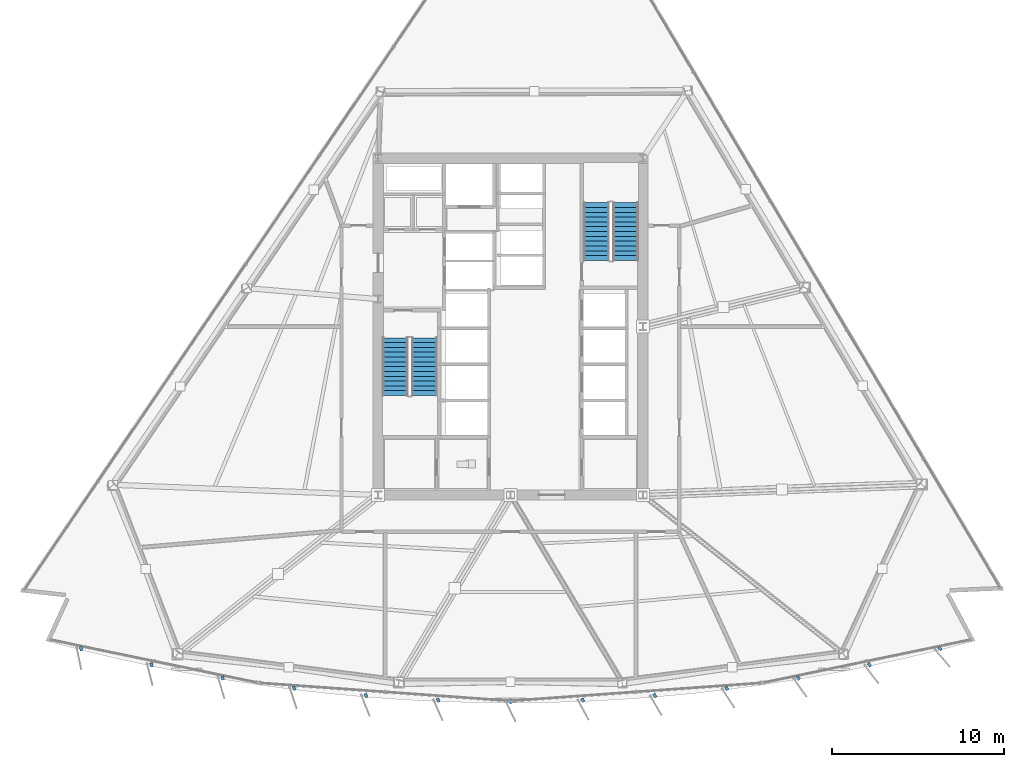
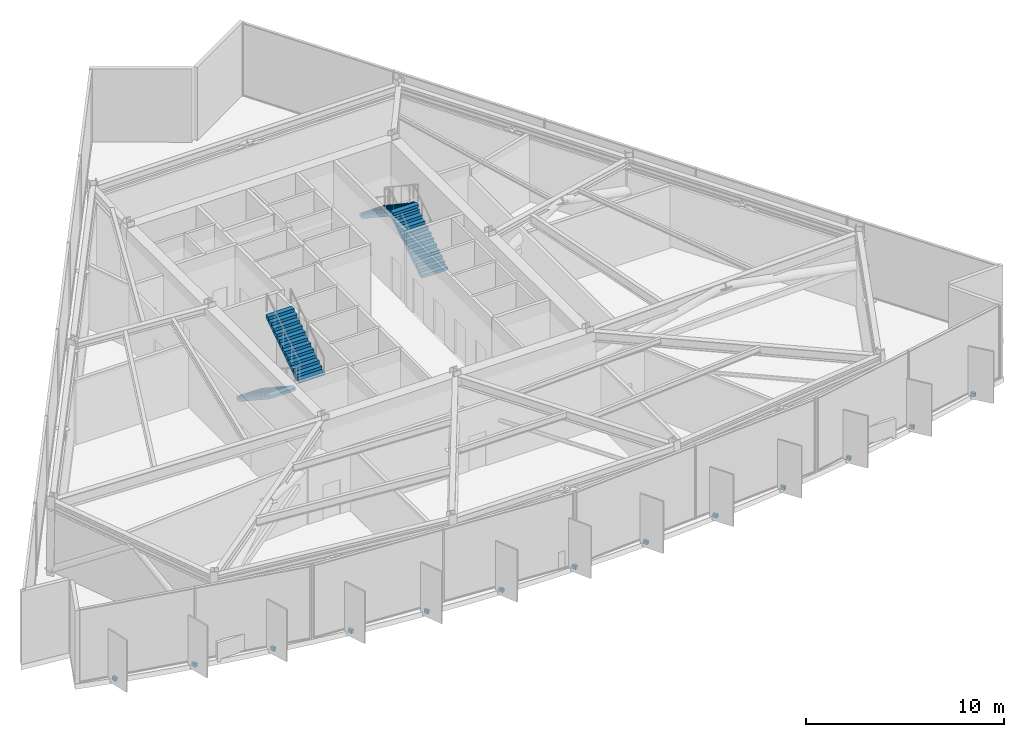
# One storey, part 11 of 16: 13 discrete accessories, 4 stair flights, 2 elements without a shape of their own.
"""IFC4 building model written with IfcOpenShell, lengths in metres."""

from ifc_helpers import new_model, si_unit, direction, frame, origin, origin_2d, place, context, subcontext, project, spatial, polyline, rectangle, outline, extrude, material, type_object, element, aggregate, save


model = new_model("IFC4")

# Units and contexts
model_context = context("Model", 3, precision=1e-05, world=origin(), true_north=direction((0.0, 1.0)))
body_context = subcontext(model_context, "Body", "Model", "MODEL_VIEW")
ifc_project = project(units=[si_unit("LENGTHUNIT", "METRE"), si_unit("AREAUNIT", "SQUARE_METRE"), si_unit("VOLUMEUNIT", "CUBIC_METRE"), si_unit("PLANEANGLEUNIT", "RADIAN"), si_unit("MASSUNIT", "GRAM", prefix="KILO")], contexts=[model_context])

# Site, building, storey
site_placement = place(None, origin())
site = spatial("IfcSite", under=ifc_project, at=site_placement, CompositionType="ELEMENT")
building_placement = place(site_placement, origin())
building = spatial("IfcBuilding", under=site, at=building_placement, Name="Savorim Split Tower", CompositionType="ELEMENT")
storey_placement = place(building_placement, frame((0.0, 0.0, 73.199951171875)))
storey = spatial("IfcBuildingStorey", under=building, at=storey_placement, Name="L19", CompositionType="ELEMENT", Elevation=73.199951171875)

# Stair, stair flights
ifc_material_1 = material(Name="Concrete C50/60", Category="concrete")
stair_type = type_object("IfcStairType", Name="STR-DOG-4800", PredefinedType="HALF_TURN_STAIR", material=ifc_material_1)
stair_1_placement = place(storey_placement, origin())
stair_1 = element("IfcStair", 1, at=stair_1_placement, inside=storey, type_object=stair_type, Name="L19 Core Protected Exit Stair ST-1", PredefinedType="HALF_TURN_STAIR")
stair_flight_type = type_object("IfcStairFlightType", Name="SFL-DOG-4800", PredefinedType="STRAIGHT", material=ifc_material_1)
stair_flight_1_placement = place(storey_placement, frame((-6.699951171875, -0.25, 0.0), z_axis=(0.0, 0.0, 1.0), x_axis=(0.0, -1.0, 0.0)))
stair_flight_1 = element("IfcStairFlight", 2, at=stair_flight_1_placement, type_object=stair_flight_type, Name="ST-1 flight 1", NumberOfRisers=13, NumberOfTreads=12, PredefinedType="STRAIGHT", RiserHeight=0.184615385, TreadLength=0.28, context=body_context, shape_type="SweptSolid", body=[
    extrude(outline(polyline([(0.0, 0.0), (0.0, 0.1845703125), (0.280029296875, 0.1845703125), (0.280029296875, 0.369140625), (0.56005859375, 0.369140625), (0.56005859375, 0.553955078125), (0.840087890625, 0.553955078125), (0.840087890625, 0.738525390625), (1.1201171875, 0.738525390625), (1.1201171875, 0.923095703125), (1.39990234375, 0.923095703125), (1.39990234375, 1.107666015625), (1.679931640625, 1.107666015625), (1.679931640625, 1.292236328125), (1.9599609375, 1.292236328125), (1.9599609375, 1.476806640625), (2.239990234375, 1.476806640625), (2.239990234375, 1.66162109375), (2.52001953125, 1.66162109375), (2.52001953125, 1.84619140625), (2.800048828125, 1.84619140625), (2.800048828125, 2.03076171875), (3.080078125, 2.03076171875), (3.080078125, 2.21533203125), (3.360107421875, 2.21533203125), (3.360107421875, 2.39990234375), (3.360107421875, 2.035888671875), (0.272216796875, 0.0), (0.0, 0.0)])), frame((0.0, 0.75, 0.0), z_axis=(0.0, -1.0, 0.0), x_axis=(1.0, 0.0, 0.0)), (0.0, 0.0, 1.0), 1.5),
])
stair_flight_2_placement = place(storey_placement, frame((-5.0, -3.610107421875, 2.400146484375), z_axis=(0.0, 0.0, 1.0), x_axis=(0.0, 1.0, 0.0)))
stair_flight_2 = element("IfcStairFlight", 3, at=stair_flight_2_placement, type_object=stair_flight_type, Name="ST-1 flight 2", NumberOfRisers=13, NumberOfTreads=12, PredefinedType="STRAIGHT", RiserHeight=0.184615385, TreadLength=0.28, context=body_context, shape_type="SweptSolid", body=[
    extrude(outline(polyline([(0.0, 0.0), (0.0, 0.1845703125), (0.280029296875, 0.1845703125), (0.280029296875, 0.369140625), (0.56005859375, 0.369140625), (0.56005859375, 0.553955078125), (0.840087890625, 0.553955078125), (0.840087890625, 0.738525390625), (1.1201171875, 0.738525390625), (1.1201171875, 0.923095703125), (1.39990234375, 0.923095703125), (1.39990234375, 1.107666015625), (1.679931640625, 1.107666015625), (1.679931640625, 1.292236328125), (1.9599609375, 1.292236328125), (1.9599609375, 1.476806640625), (2.239990234375, 1.476806640625), (2.239990234375, 1.66162109375), (2.52001953125, 1.66162109375), (2.52001953125, 1.84619140625), (2.800048828125, 1.84619140625), (2.800048828125, 2.03076171875), (3.080078125, 2.03076171875), (3.080078125, 2.21533203125), (3.360107421875, 2.21533203125), (3.360107421875, 2.39990234375), (3.360107421875, 2.035888671875), (0.272216796875, 0.0), (0.0, 0.0)])), frame((0.0, 0.75, 0.0), z_axis=(0.0, -1.0, 0.0), x_axis=(1.0, 0.0, 0.0)), (0.0, 0.0, 1.0), 1.5),
])
aggregate(stair_1, [stair_flight_1, stair_flight_2])

stair_2_placement = place(storey_placement, origin())
stair_2 = element("IfcStair", 4, at=stair_2_placement, inside=storey, type_object=stair_type, Name="L19 Core Protected Exit Stair ST-2", PredefinedType="HALF_TURN_STAIR")
stair_flight_3_placement = place(storey_placement, frame((6.699951171875, 4.25, 0.0), z_axis=(0.0, 0.0, 1.0), x_axis=(0.0, 1.0, 0.0)))
stair_flight_3 = element("IfcStairFlight", 5, at=stair_flight_3_placement, type_object=stair_flight_type, Name="ST-2 flight 1", NumberOfRisers=13, NumberOfTreads=12, PredefinedType="STRAIGHT", RiserHeight=0.184615385, TreadLength=0.28, context=body_context, shape_type="SweptSolid", body=[
    extrude(outline(polyline([(0.0, 0.0), (0.0, 0.1845703125), (0.280029296875, 0.1845703125), (0.280029296875, 0.369140625), (0.56005859375, 0.369140625), (0.56005859375, 0.553955078125), (0.840087890625, 0.553955078125), (0.840087890625, 0.738525390625), (1.1201171875, 0.738525390625), (1.1201171875, 0.923095703125), (1.39990234375, 0.923095703125), (1.39990234375, 1.107666015625), (1.679931640625, 1.107666015625), (1.679931640625, 1.292236328125), (1.9599609375, 1.292236328125), (1.9599609375, 1.476806640625), (2.239990234375, 1.476806640625), (2.239990234375, 1.66162109375), (2.52001953125, 1.66162109375), (2.52001953125, 1.84619140625), (2.800048828125, 1.84619140625), (2.800048828125, 2.03076171875), (3.080078125, 2.03076171875), (3.080078125, 2.21533203125), (3.360107421875, 2.21533203125), (3.360107421875, 2.39990234375), (3.360107421875, 2.035888671875), (0.272216796875, 0.0), (0.0, 0.0)])), frame((0.0, 0.75, 0.0), z_axis=(0.0, -1.0, 0.0), x_axis=(1.0, 0.0, 0.0)), (0.0, 0.0, 1.0), 1.5),
])
stair_flight_4_placement = place(storey_placement, frame((5.0, 7.610107421875, 2.400146484375), z_axis=(0.0, 0.0, 1.0), x_axis=(0.0, -1.0, 0.0)))
stair_flight_4 = element("IfcStairFlight", 6, at=stair_flight_4_placement, type_object=stair_flight_type, Name="ST-2 flight 2", NumberOfRisers=13, NumberOfTreads=12, PredefinedType="STRAIGHT", RiserHeight=0.184615385, TreadLength=0.28, context=body_context, shape_type="SweptSolid", body=[
    extrude(outline(polyline([(0.0, 0.0), (0.0, 0.1845703125), (0.280029296875, 0.1845703125), (0.280029296875, 0.369140625), (0.56005859375, 0.369140625), (0.56005859375, 0.553955078125), (0.840087890625, 0.553955078125), (0.840087890625, 0.738525390625), (1.1201171875, 0.738525390625), (1.1201171875, 0.923095703125), (1.39990234375, 0.923095703125), (1.39990234375, 1.107666015625), (1.679931640625, 1.107666015625), (1.679931640625, 1.292236328125), (1.9599609375, 1.292236328125), (1.9599609375, 1.476806640625), (2.239990234375, 1.476806640625), (2.239990234375, 1.66162109375), (2.52001953125, 1.66162109375), (2.52001953125, 1.84619140625), (2.800048828125, 1.84619140625), (2.800048828125, 2.03076171875), (3.080078125, 2.03076171875), (3.080078125, 2.21533203125), (3.360107421875, 2.21533203125), (3.360107421875, 2.39990234375), (3.360107421875, 2.035888671875), (0.272216796875, 0.0), (0.0, 0.0)])), frame((0.0, 0.75, 0.0), z_axis=(0.0, -1.0, 0.0), x_axis=(1.0, 0.0, 0.0)), (0.0, 0.0, 1.0), 1.5),
])
aggregate(stair_2, [stair_flight_3, stair_flight_4])

# Discrete accessories
ifc_material_2 = material(Name="Steel S355", Category="steel")
discrete_accessory_type = type_object("IfcDiscreteAccessoryType", Name="ACC-BRK-FIN", PredefinedType="BRACKET", material=ifc_material_2)
for number, where, z_axis, x_axis, name in (
    (7, (-24.9814453125, -18.338134765625, -0.18994140625), (0.0, 0.0, 1.0), (0.206721626106, -0.978399800337, 0.0), "L19 Fin Slab-Edge Cleat Bracket 01"),
    (8, (-20.882080078125, -19.276611328125, -0.18994140625), (0.0, 0.0, 1.0), (0.246581250663, -0.969122121727, 0.0), "L19 Fin Slab-Edge Cleat Bracket 02"),
    (9, (-16.747802734375, -20.046875, -0.18994140625), (0.0, 0.0, 1.0), (0.286026212504, -0.958221793616, 0.0), "L19 Fin Slab-Edge Cleat Bracket 03"),
    (10, (-12.58544921875, -20.647216796875, -0.18994140625), (0.0, 0.0, 1.0), (0.324993810493, -0.945716143005, 0.0), "L19 Fin Slab-Edge Cleat Bracket 04"),
    (11, (-8.402099609375, -21.07666015625, -0.18994140625), (0.0, 0.0, 1.0), (0.363415461732, -0.931627179817, 0.0), "L19 Fin Slab-Edge Cleat Bracket 05"),
    (12, (-4.20458984375, -21.334716796875, -0.18994140625), (0.0, 0.0, 1.0), (0.401230091723, -0.915977299662, 0.0), "L19 Fin Slab-Edge Cleat Bracket 06"),
    (13, (0.0, -21.4208984375, -0.18994140625), (0.0, 0.0, 1.0), (0.438371146789, -0.898794046299, 0.0), "L19 Fin Slab-Edge Cleat Bracket 07"),
    (14, (4.20458984375, -21.334716796875, -0.18994140625), (0.0, 0.0, 1.0), (0.474778051978, -0.880105562623, 0.0), "L19 Fin Slab-Edge Cleat Bracket 08"),
    (15, (8.402099609375, -21.07666015625, -0.18994140625), (0.0, 0.0, 1.0), (0.510391336723, -0.859942255851, 0.0), "L19 Fin Slab-Edge Cleat Bracket 09"),
    (16, (12.58544921875, -20.647216796875, -0.18994140625), (0.0, 0.0, 1.0), (0.545148321708, -0.838339613366, 0.0), "L19 Fin Slab-Edge Cleat Bracket 10"),
    (17, (16.747802734375, -20.046875, -0.18994140625), (0.0, 0.0, 1.0), (0.578993757737, -0.815331974414, 0.0), "L19 Fin Slab-Edge Cleat Bracket 11"),
    (18, (20.882080078125, -19.276611328125, -0.18994140625), (0.0, 0.0, 1.0), (0.611868076908, -0.790959832394, 0.0), "L19 Fin Slab-Edge Cleat Bracket 12"),
    (19, (24.9814453125, -18.338134765625, -0.18994140625), (0.0, 0.0, 1.0), (0.643719022682, -0.765261928909, 0.0), "L19 Fin Slab-Edge Cleat Bracket 13"),
):
    element("IfcDiscreteAccessory", number, at=place(storey_placement, frame(where, z_axis=z_axis, x_axis=x_axis)), inside=storey, type_object=discrete_accessory_type, Name=name, PredefinedType="BRACKET", context=body_context, shape_type="SweptSolid", body=[
        extrude(rectangle(XDim=0.239990234375, YDim=0.159912109375, at=origin_2d()), origin(), (0.0, 0.0, 1.0), 0.219970703125),
    ])

save(model, "model.ifc")
